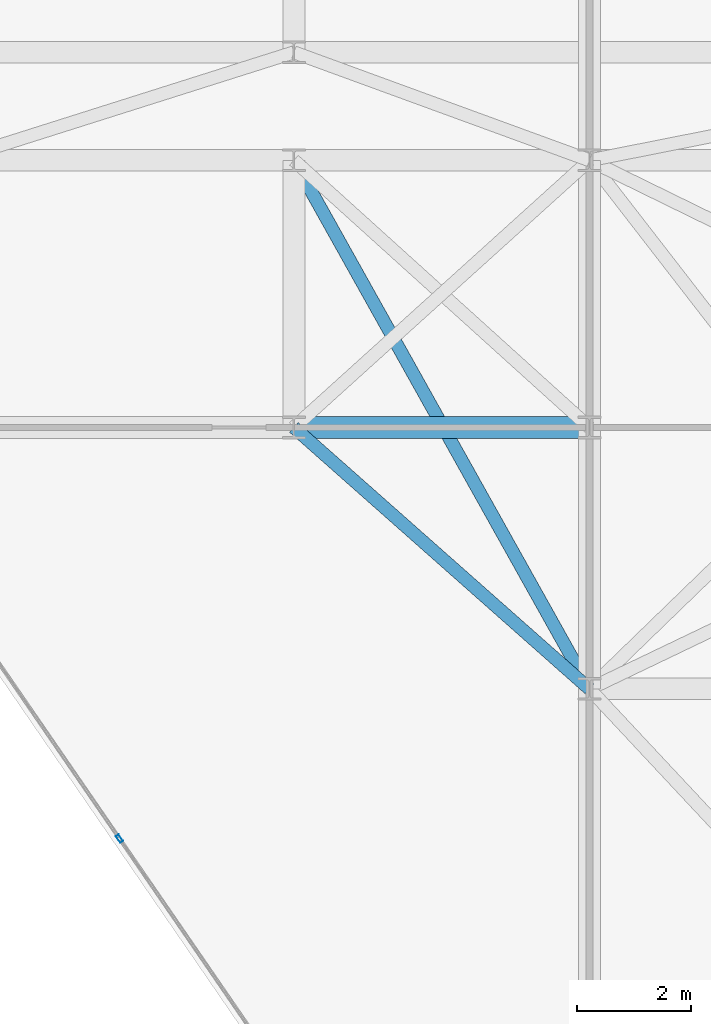
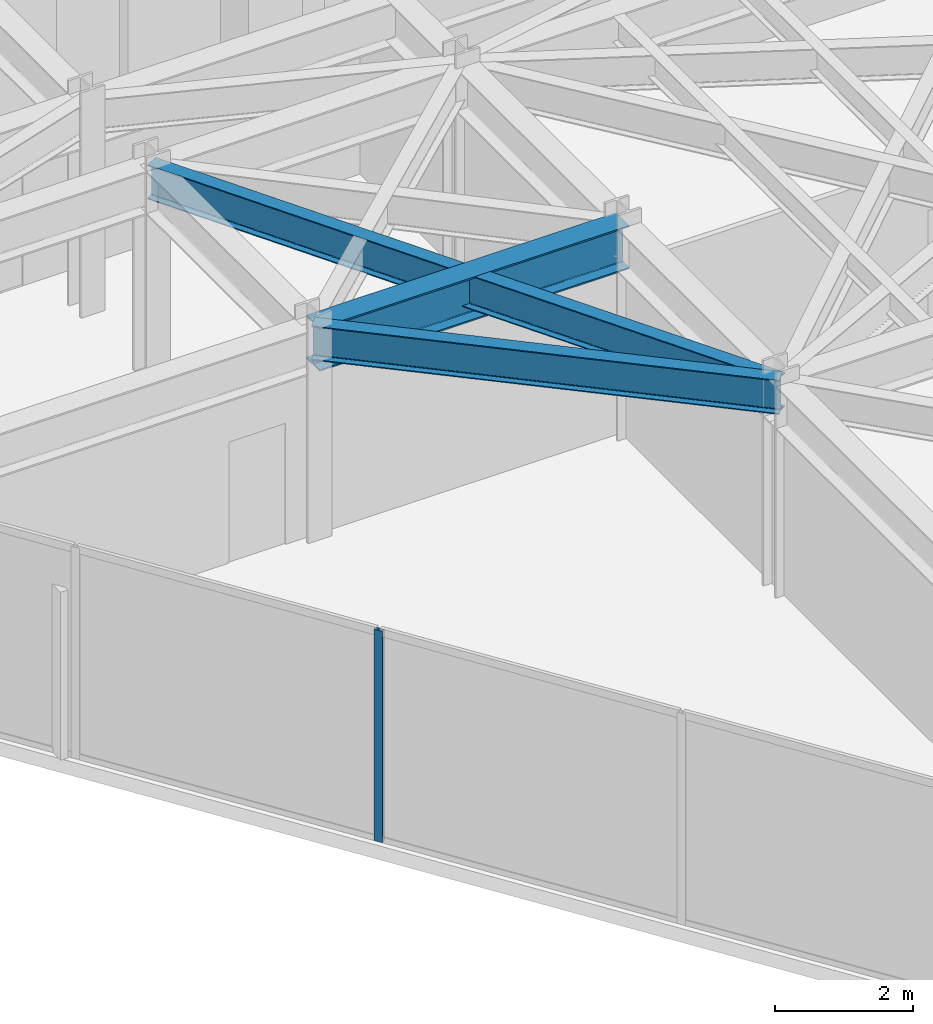
# One storey, part 18 of 26: 3 beams, 1 member, 1 element without a shape of its own.
"""IFC4 building model written with IfcOpenShell, lengths in metres."""

import ifcopenshell
import ifcopenshell.guid

model = None  # the IFC model being written
_history = None  # IfcOwnerHistory: only IFC2X3 demands one
_inside = {}  # id of a spatial element -> (the spatial element, [elements in it])
_under = {}  # id of a project, library or spatial element -> (it, [spatial elements below it])
_declared = {}  # id of a project -> (the project, [libraries it declares])
_typed = {}  # id of a type object -> (the type object, [elements of that type])
_made_of = {}  # id of a material, layer set ... -> (it, [elements and type objects made of it])


def new_model(schema):
    """Start an empty IFC model of exactly this schema.

    Asked for "IFC4X3", IfcOpenShell would pick the latest addendum, in which some entities
    have other attributes; the version numbers below select the first issue.
    IFC2X3 requires an IfcOwnerHistory on every rooted entity: one is made here for all.
    """
    global model, _history
    if schema == "IFC4X3":
        model = ifcopenshell.file(schema_version=(4, 3, 0, 0))
    else:
        model = ifcopenshell.file(schema=schema)
    _inside.clear()
    _under.clear()
    _declared.clear()
    _typed.clear()
    _made_of.clear()
    _history = None
    if model.schema == "IFC2X3":
        org = make("IfcOrganization", Name="unknown")
        user = make(
            "IfcPersonAndOrganization",
            ThePerson=make("IfcPerson", FamilyName="unknown"),
            TheOrganization=org,
        )
        app = make(
            "IfcApplication",
            ApplicationDeveloper=org,
            Version="unknown",
            ApplicationFullName="unknown",
            ApplicationIdentifier="unknown",
        )
        _history = make(
            "IfcOwnerHistory",
            OwningUser=user,
            OwningApplication=app,
            ChangeAction="ADDED",
            CreationDate=0,
        )
    return model


def make(cls, **values):
    """One entity of the class cls with the attributes given. An attribute that is None is left unset."""
    return model.create_entity(
        cls, **{name: value for name, value in values.items() if value is not None}
    )


def rooted(cls, **values):
    """An entity with a GlobalId (a new one), such as an element, a storey or a relation."""
    return make(cls, GlobalId=ifcopenshell.guid.new(), OwnerHistory=_history, **values)


def si_unit(unit_type, name, prefix=None):
    """IfcSIUnit, for example si_unit("LENGTHUNIT", "METRE", prefix="MILLI")."""
    return make("IfcSIUnit", UnitType=unit_type, Prefix=prefix, Name=name)


def assignment(units):
    """IfcUnitAssignment: the units of a project."""
    return None if units is None else make("IfcUnitAssignment", Units=units)


def point(xyz):
    """IfcCartesianPoint."""
    return None if xyz is None else make("IfcCartesianPoint", Coordinates=xyz)


def direction(xyz):
    """IfcDirection."""
    return None if xyz is None else make("IfcDirection", DirectionRatios=xyz)


def frame(location, z_axis=None, x_axis=None):
    """IfcAxis2Placement3D, a coordinate frame: its origin and axes. An axis left out is left unset."""
    return make(
        "IfcAxis2Placement3D",
        Location=point(location),
        Axis=direction(z_axis),
        RefDirection=direction(x_axis),
    )


def frame_2d(location, x_axis=None):
    """IfcAxis2Placement2D, a coordinate frame in the plane: its origin and x axis."""
    return make(
        "IfcAxis2Placement2D", Location=point(location), RefDirection=direction(x_axis)
    )


def origin():
    """The frame at (0, 0, 0) with its axes left unset."""
    return frame((0.0, 0.0, 0.0))


def origin_2d():
    """The frame at (0, 0) in the plane with its x axis left unset."""
    return frame_2d((0.0, 0.0))


def place(relative_to, where):
    """IfcLocalPlacement: puts the frame where relative to a parent placement (None: the world)."""
    return make(
        "IfcLocalPlacement", PlacementRelTo=relative_to, RelativePlacement=where
    )


def context(
    kind, dimensions, precision=None, world=None, true_north=None, identifier=None
):
    """IfcGeometricRepresentationContext, for example the 3D "Model" context."""
    return make(
        "IfcGeometricRepresentationContext",
        ContextIdentifier=identifier,
        ContextType=kind,
        CoordinateSpaceDimension=dimensions,
        Precision=precision,
        WorldCoordinateSystem=world,
        TrueNorth=true_north,
    )


def subcontext(parent, identifier, kind, view, scale=None):
    """IfcGeometricRepresentationSubContext, for example "Body" below "Model"."""
    return make(
        "IfcGeometricRepresentationSubContext",
        ContextIdentifier=identifier,
        ContextType=kind,
        ParentContext=parent,
        TargetScale=scale,
        TargetView=view,
    )


def project(units=None, contexts=None):
    """IfcProject with its units and contexts."""
    return rooted(
        "IfcProject",
        Name="project",
        RepresentationContexts=contexts,
        UnitsInContext=assignment(units),
    )


def spatial(cls, under=None, at=None, **own):
    """A site, building, storey or space (cls), placed at a placement, below another one or the project."""
    s = rooted(cls, ObjectPlacement=at, **own)
    if under is not None:
        _under.setdefault(under.id(), (under, []))[1].append(s)
    return s


def profile(cls, at=None, kind="AREA", **sizes):
    """A parametric profile (cls). Its sizes go by their IFC names, for example OverallWidth=200.0."""
    return make(cls, ProfileType=kind, Position=at, **sizes)


def hollow_rectangle(**sizes):
    """IfcRectangleHollowProfileDef."""
    return profile("IfcRectangleHollowProfileDef", **sizes)


def i_section(**sizes):
    """IfcIShapeProfileDef."""
    return profile("IfcIShapeProfileDef", **sizes)


def extrude(swept, where, along, depth):
    """IfcExtrudedAreaSolid: the profile swept, set in the frame where, extruded along a direction by depth."""
    return make(
        "IfcExtrudedAreaSolid",
        SweptArea=swept,
        Position=where,
        ExtrudedDirection=direction(along),
        Depth=depth,
    )


def shape(context_of_items, identifier, shape_type, items):
    """IfcShapeRepresentation: the items that make up one representation, for example the "Body"."""
    return make(
        "IfcShapeRepresentation",
        ContextOfItems=context_of_items,
        RepresentationIdentifier=identifier,
        RepresentationType=shape_type,
        Items=items,
    )


def material(Name=None, Category=None):
    """IfcMaterial."""
    return make("IfcMaterial", Name=Name, Category=Category)


def layer(
    of_material, thickness, ventilated=None, Name=None, Category=None, Priority=None
):
    """IfcMaterialLayer: one layer of a wall or slab, of a material (None: an air gap)."""
    return make(
        "IfcMaterialLayer",
        Material=of_material,
        LayerThickness=thickness,
        IsVentilated=ventilated,
        Name=Name,
        Category=Category,
        Priority=Priority,
    )


def layer_set(layers, Name=None):
    """IfcMaterialLayerSet."""
    return make("IfcMaterialLayerSet", MaterialLayers=layers, LayerSetName=Name)


def material_profile(
    of_material, cross_section, Name=None, Category=None, Priority=None
):
    """IfcMaterialProfile: a cross section and its material."""
    return make(
        "IfcMaterialProfile",
        Name=Name,
        Material=of_material,
        Profile=cross_section,
        Priority=Priority,
        Category=Category,
    )


def profile_set(profiles, Name=None, composite=None):
    """IfcMaterialProfileSet."""
    return make(
        "IfcMaterialProfileSet",
        Name=Name,
        MaterialProfiles=profiles,
        CompositeProfile=composite,
    )


def made_of(thing, what):
    """Note that an element or type object is made of a material, layer set ...; save() writes the relation."""
    if what is not None:
        _made_of.setdefault(what.id(), (what, []))[1].append(thing)
    return thing


def type_object(cls, material=None, **own):
    """A type object (cls), such as IfcWallType, which elements share."""
    return made_of(rooted(cls, **own), material)


def element(
    cls,
    number,
    at=None,
    inside=None,
    cuts=None,
    type_object=None,
    material=None,
    context=None,
    identifier="Body",
    shape_type=None,
    held_by="IfcProductDefinitionShape",
    body=None,
    shapes=None,
    **own,
):
    """One element of the class cls, such as IfcWall. Its Tag is "e" and its number.

    at: its placement. inside: the storey or other place that contains it. cuts: it is an
    opening in that element (IfcRelVoidsElement). A single representation is given by context,
    identifier, shape_type and body (its items); several are given by shapes. held_by: the class
    of the entity that holds the representations. save() writes the other relations.
    """
    e = rooted(cls, Tag="e%d" % number, ObjectPlacement=at, **own)
    if body is not None:
        shapes = [shape(context, identifier, shape_type, body)]
    if shapes is not None:
        e.Representation = make(held_by, Representations=shapes)
    if inside is not None:
        _inside.setdefault(inside.id(), (inside, []))[1].append(e)
    if cuts is not None:
        rooted(
            "IfcRelVoidsElement", RelatingBuildingElement=cuts, RelatedOpeningElement=e
        )
    if type_object is not None:
        _typed.setdefault(type_object.id(), (type_object, []))[1].append(e)
    return made_of(e, material)


def aggregate(whole, parts):
    """IfcRelAggregates: a whole, such as a stair, and the parts it consists of."""
    return rooted("IfcRelAggregates", RelatingObject=whole, RelatedObjects=parts)


def save(model, path):
    """Write the relations noted so far, then the file.

    IfcRelAggregates (storeys below a building ...), IfcRelContainedInSpatialStructure (elements
    in a storey), IfcRelDefinesByType, IfcRelAssociatesMaterial and IfcRelDeclares: one each for
    every whole, place, type object, material and project.
    """
    for whole, parts in _under.values():
        aggregate(whole, parts)
    for where, things in _inside.values():
        rooted(
            "IfcRelContainedInSpatialStructure",
            RelatedElements=things,
            RelatingStructure=where,
        )
    for kind, things in _typed.values():
        rooted("IfcRelDefinesByType", RelatedObjects=things, RelatingType=kind)
    for what, things in _made_of.values():
        rooted("IfcRelAssociatesMaterial", RelatedObjects=things, RelatingMaterial=what)
    for by, libraries in _declared.values():
        rooted("IfcRelDeclares", RelatingContext=by, RelatedDefinitions=libraries)
    model.write(path)


model = new_model("IFC4")

# Units and contexts
model_context = context("Model", 3, precision=1e-05, world=origin(), true_north=direction((0.0, 1.0)))
body_context = subcontext(model_context, "Body", "Model", "MODEL_VIEW")
ifc_project = project(units=[si_unit("LENGTHUNIT", "METRE"), si_unit("AREAUNIT", "SQUARE_METRE"), si_unit("VOLUMEUNIT", "CUBIC_METRE"), si_unit("PLANEANGLEUNIT", "RADIAN"), si_unit("MASSUNIT", "GRAM", prefix="KILO")], contexts=[model_context])

# Site, building, storey
site_placement = place(None, origin())
site = spatial("IfcSite", under=ifc_project, at=site_placement, CompositionType="ELEMENT")
building_placement = place(site_placement, origin())
building = spatial("IfcBuilding", under=site, at=building_placement, Name="Kravanh Interchange Tower", CompositionType="ELEMENT")
storey_placement = place(building_placement, frame((0.0, 0.0, 204.5)))
storey = spatial("IfcBuildingStorey", under=building, at=storey_placement, Name="L49", CompositionType="ELEMENT", Elevation=204.5)

# Curtain wall, member
ifc_material_1 = material(Name="Anodised Bronze Aluminium", Category="aluminium")
ifc_layer = layer(ifc_material_1, 0.179931640625)
ifc_layer_set = layer_set([ifc_layer], Name="Unitised Curtain Wall System CW-Z3 Upper Office")
curtain_wall_type = type_object("IfcCurtainWallType", Name="Unitised Curtain Wall System CW-Z3 Upper Office", PredefinedType="NOTDEFINED", material=ifc_layer_set)
curtain_wall_placement = place(storey_placement, origin())
curtain_wall = element("IfcCurtainWall", 1, at=curtain_wall_placement, inside=storey, type_object=curtain_wall_type, Name="L49 Unitised Curtain Wall CW-L49-04", PredefinedType="NOTDEFINED")
ifc_material_2 = material(Name="Anodised Bronze Aluminium", Category="aluminium")
ifc_material_profile_1 = material_profile(ifc_material_2, hollow_rectangle(XDim=0.06005859375, YDim=0.139892578125, WallThickness=0.00390625, at=origin_2d()), Name="ALU60X140X4")
ifc_profile_set_1 = profile_set([ifc_material_profile_1], Name="Anodised Bronze Aluminium")
member_type = type_object("IfcMemberType", Name="Curtain Wall Mullion ALU60X140X4 Bronze", PredefinedType="MULLION", material=ifc_profile_set_1)
member_placement = place(storey_placement, frame((47.7314453125, 19.56591796875, 0.0), z_axis=(0.0, 0.0, 1.0), x_axis=(-0.824042223035, -0.566528388217, 0.0)))
member = element("IfcMember", 2, at=member_placement, type_object=member_type, Name="CW-Z3 mullion 3", PredefinedType="MULLION", context=body_context, shape_type="SweptSolid", body=[
    extrude(hollow_rectangle(XDim=0.06005859375, YDim=0.139892578125, WallThickness=0.00390625, at=origin_2d()), origin(), (0.0, 0.0, 1.0), 3.7548828125),
])
aggregate(curtain_wall, [member])

# Beams
ifc_material_3 = material(Name="Structural Steel S355", Category="steel")
ifc_material_profile_2 = material_profile(ifc_material_3, i_section(OverallWidth=0.381103515625, OverallDepth=0.77294921875, WebThickness=0.0166015625, FlangeThickness=0.027099609375, FilletRadius=0.02490234375, at=origin_2d()), Name="W30X173")
ifc_profile_set_2 = profile_set([ifc_material_profile_2], Name="Structural Steel S355")
beam_type_1 = type_object("IfcBeamType", Name="Floor Beam W30X173 Structural Steel S355", PredefinedType="BEAM", material=ifc_profile_set_2)
beam_1_placement = place(storey_placement, frame((50.800048828125, 26.800048828125, 3.368408203125), z_axis=(1.0, 0.0, 0.0), x_axis=(0.0, 1.0, 0.0)))
element("IfcBeam", 3, at=beam_1_placement, inside=storey, type_object=beam_type_1, Name="L49 Primary Floor Girder 50", PredefinedType="BEAM", context=body_context, shape_type="SweptSolid", body=[
    extrude(i_section(OverallWidth=0.381103515625, OverallDepth=0.77294921875, WebThickness=0.0166015625, FlangeThickness=0.027099609375, FilletRadius=0.02490234375, at=origin_2d()), origin(), (0.0, 0.0, 1.0), 5.199951171875),
])
ifc_material_4 = material(Name="Structural Steel S355", Category="steel")
ifc_material_profile_3 = material_profile(ifc_material_4, i_section(OverallWidth=0.22802734375, OverallDepth=0.60791015625, WebThickness=0.01123046875, FlangeThickness=0.017333984375, FilletRadius=0.02197265625, at=origin_2d()), Name="W24X76")
ifc_profile_set_3 = profile_set([ifc_material_profile_3], Name="Structural Steel S355")
beam_type_2 = type_object("IfcBeamType", Name="Floor Spandrel W24X76 Structural Steel S355", PredefinedType="SPANDREL", material=ifc_profile_set_3)
beam_2_placement = place(storey_placement, frame((50.800048828125, 26.800048828125, 3.450927734375), z_axis=(0.74898649432, -0.662585263439, 0.0), x_axis=(0.662585263439, 0.74898649432, 0.0)))
element("IfcBeam", 4, at=beam_2_placement, inside=storey, type_object=beam_type_2, Name="L49 Perimeter Spandrel 51", PredefinedType="SPANDREL", context=body_context, shape_type="SweptSolid", body=[
    extrude(i_section(OverallWidth=0.22802734375, OverallDepth=0.60791015625, WebThickness=0.01123046875, FlangeThickness=0.017333984375, FilletRadius=0.02197265625, at=origin_2d()), origin(), (0.0, 0.0, 1.0), 6.942626953125),
])
beam_3_placement = place(storey_placement, frame((50.800048828125, 31.5, 3.450927734375), z_axis=(0.488026248114, -0.872828952975, 0.0), x_axis=(0.872828952975, 0.488026248114, 0.0)))
element("IfcBeam", 5, at=beam_3_placement, inside=storey, type_object=beam_type_2, Name="L49 Perimeter Spandrel 78", PredefinedType="SPANDREL", context=body_context, shape_type="SweptSolid", body=[
    extrude(i_section(OverallWidth=0.22802734375, OverallDepth=0.60791015625, WebThickness=0.01123046875, FlangeThickness=0.017333984375, FilletRadius=0.02197265625, at=origin_2d()), origin(), (0.0, 0.0, 1.0), 10.655029296875),
])

save(model, "model.ifc")
